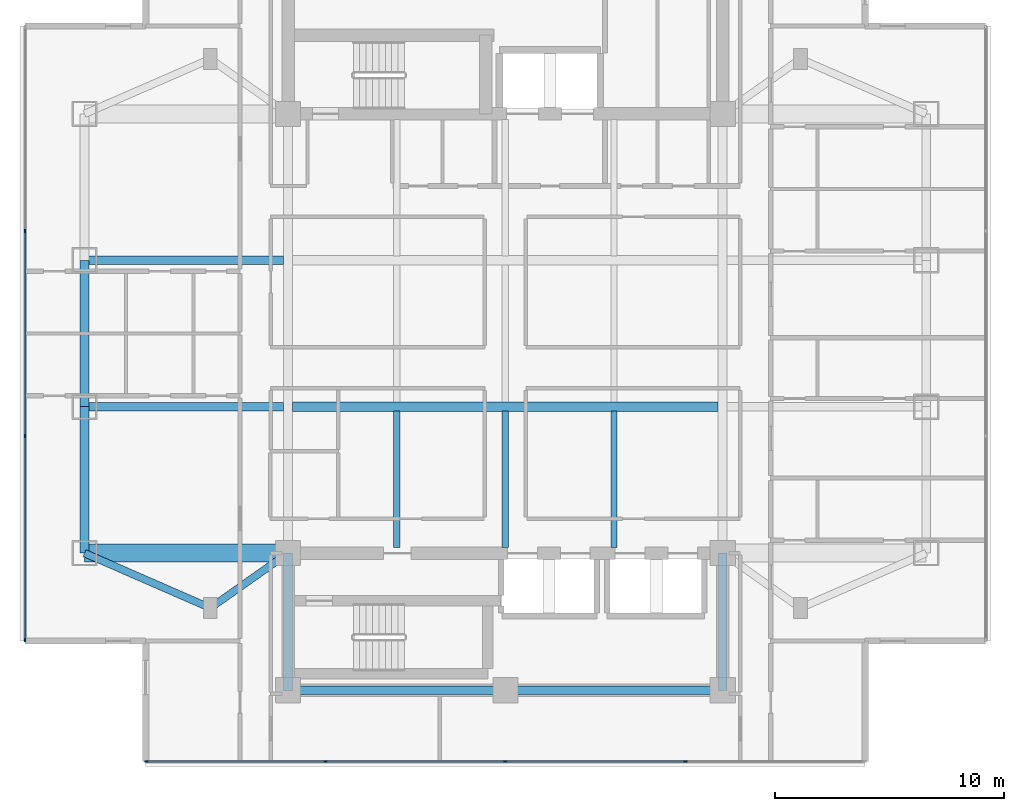
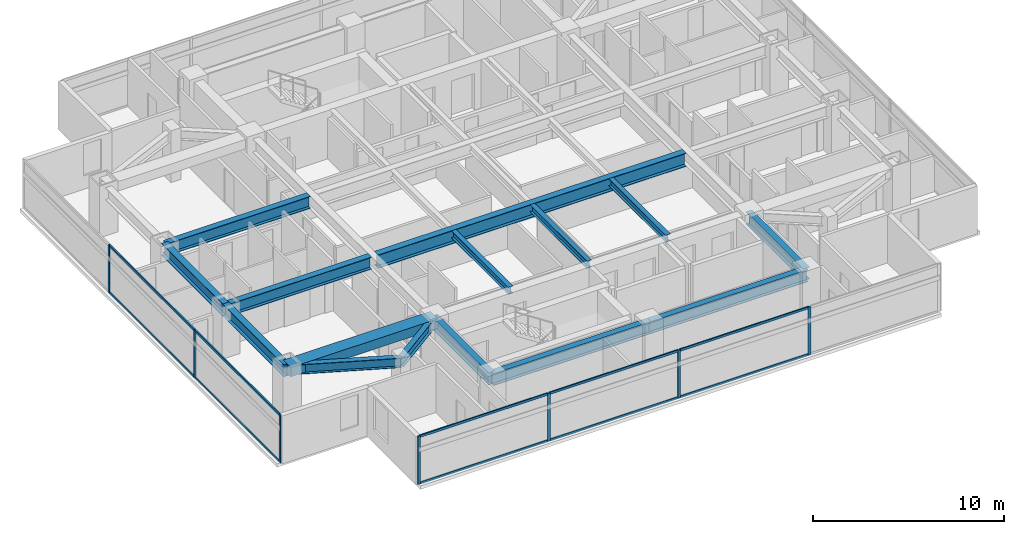
# One storey, part 2 of 25: 17 members, 15 beams, 2 elements without a shape of their own.
"""IFC4 building model written with IfcOpenShell, lengths in metres."""

import ifcopenshell
import ifcopenshell.guid

model = None  # the IFC model being written
_history = None  # IfcOwnerHistory: only IFC2X3 demands one
_inside = {}  # id of a spatial element -> (the spatial element, [elements in it])
_under = {}  # id of a project, library or spatial element -> (it, [spatial elements below it])
_declared = {}  # id of a project -> (the project, [libraries it declares])
_typed = {}  # id of a type object -> (the type object, [elements of that type])
_made_of = {}  # id of a material, layer set ... -> (it, [elements and type objects made of it])


def new_model(schema):
    """Start an empty IFC model of exactly this schema.

    Asked for "IFC4X3", IfcOpenShell would pick the latest addendum, in which some entities
    have other attributes; the version numbers below select the first issue.
    IFC2X3 requires an IfcOwnerHistory on every rooted entity: one is made here for all.
    """
    global model, _history
    if schema == "IFC4X3":
        model = ifcopenshell.file(schema_version=(4, 3, 0, 0))
    else:
        model = ifcopenshell.file(schema=schema)
    _inside.clear()
    _under.clear()
    _declared.clear()
    _typed.clear()
    _made_of.clear()
    _history = None
    if model.schema == "IFC2X3":
        org = make("IfcOrganization", Name="unknown")
        user = make(
            "IfcPersonAndOrganization",
            ThePerson=make("IfcPerson", FamilyName="unknown"),
            TheOrganization=org,
        )
        app = make(
            "IfcApplication",
            ApplicationDeveloper=org,
            Version="unknown",
            ApplicationFullName="unknown",
            ApplicationIdentifier="unknown",
        )
        _history = make(
            "IfcOwnerHistory",
            OwningUser=user,
            OwningApplication=app,
            ChangeAction="ADDED",
            CreationDate=0,
        )
    return model


def make(cls, **values):
    """One entity of the class cls with the attributes given. An attribute that is None is left unset."""
    return model.create_entity(
        cls, **{name: value for name, value in values.items() if value is not None}
    )


def rooted(cls, **values):
    """An entity with a GlobalId (a new one), such as an element, a storey or a relation."""
    return make(cls, GlobalId=ifcopenshell.guid.new(), OwnerHistory=_history, **values)


def si_unit(unit_type, name, prefix=None):
    """IfcSIUnit, for example si_unit("LENGTHUNIT", "METRE", prefix="MILLI")."""
    return make("IfcSIUnit", UnitType=unit_type, Prefix=prefix, Name=name)


def assignment(units):
    """IfcUnitAssignment: the units of a project."""
    return None if units is None else make("IfcUnitAssignment", Units=units)


def point(xyz):
    """IfcCartesianPoint."""
    return None if xyz is None else make("IfcCartesianPoint", Coordinates=xyz)


def direction(xyz):
    """IfcDirection."""
    return None if xyz is None else make("IfcDirection", DirectionRatios=xyz)


def frame(location, z_axis=None, x_axis=None):
    """IfcAxis2Placement3D, a coordinate frame: its origin and axes. An axis left out is left unset."""
    return make(
        "IfcAxis2Placement3D",
        Location=point(location),
        Axis=direction(z_axis),
        RefDirection=direction(x_axis),
    )


def frame_2d(location, x_axis=None):
    """IfcAxis2Placement2D, a coordinate frame in the plane: its origin and x axis."""
    return make(
        "IfcAxis2Placement2D", Location=point(location), RefDirection=direction(x_axis)
    )


def origin():
    """The frame at (0, 0, 0) with its axes left unset."""
    return frame((0.0, 0.0, 0.0))


def origin_2d():
    """The frame at (0, 0) in the plane with its x axis left unset."""
    return frame_2d((0.0, 0.0))


def place(relative_to, where):
    """IfcLocalPlacement: puts the frame where relative to a parent placement (None: the world)."""
    return make(
        "IfcLocalPlacement", PlacementRelTo=relative_to, RelativePlacement=where
    )


def context(
    kind, dimensions, precision=None, world=None, true_north=None, identifier=None
):
    """IfcGeometricRepresentationContext, for example the 3D "Model" context."""
    return make(
        "IfcGeometricRepresentationContext",
        ContextIdentifier=identifier,
        ContextType=kind,
        CoordinateSpaceDimension=dimensions,
        Precision=precision,
        WorldCoordinateSystem=world,
        TrueNorth=true_north,
    )


def subcontext(parent, identifier, kind, view, scale=None):
    """IfcGeometricRepresentationSubContext, for example "Body" below "Model"."""
    return make(
        "IfcGeometricRepresentationSubContext",
        ContextIdentifier=identifier,
        ContextType=kind,
        ParentContext=parent,
        TargetScale=scale,
        TargetView=view,
    )


def project(units=None, contexts=None):
    """IfcProject with its units and contexts."""
    return rooted(
        "IfcProject",
        Name="project",
        RepresentationContexts=contexts,
        UnitsInContext=assignment(units),
    )


def spatial(cls, under=None, at=None, **own):
    """A site, building, storey or space (cls), placed at a placement, below another one or the project."""
    s = rooted(cls, ObjectPlacement=at, **own)
    if under is not None:
        _under.setdefault(under.id(), (under, []))[1].append(s)
    return s


def profile(cls, at=None, kind="AREA", **sizes):
    """A parametric profile (cls). Its sizes go by their IFC names, for example OverallWidth=200.0."""
    return make(cls, ProfileType=kind, Position=at, **sizes)


def rectangle(**sizes):
    """IfcRectangleProfileDef."""
    return profile("IfcRectangleProfileDef", **sizes)


def i_section(**sizes):
    """IfcIShapeProfileDef."""
    return profile("IfcIShapeProfileDef", **sizes)


def extrude(swept, where, along, depth):
    """IfcExtrudedAreaSolid: the profile swept, set in the frame where, extruded along a direction by depth."""
    return make(
        "IfcExtrudedAreaSolid",
        SweptArea=swept,
        Position=where,
        ExtrudedDirection=direction(along),
        Depth=depth,
    )


def shape(context_of_items, identifier, shape_type, items):
    """IfcShapeRepresentation: the items that make up one representation, for example the "Body"."""
    return make(
        "IfcShapeRepresentation",
        ContextOfItems=context_of_items,
        RepresentationIdentifier=identifier,
        RepresentationType=shape_type,
        Items=items,
    )


def material(Name=None, Category=None):
    """IfcMaterial."""
    return make("IfcMaterial", Name=Name, Category=Category)


def material_profile(
    of_material, cross_section, Name=None, Category=None, Priority=None
):
    """IfcMaterialProfile: a cross section and its material."""
    return make(
        "IfcMaterialProfile",
        Name=Name,
        Material=of_material,
        Profile=cross_section,
        Priority=Priority,
        Category=Category,
    )


def profile_set(profiles, Name=None, composite=None):
    """IfcMaterialProfileSet."""
    return make(
        "IfcMaterialProfileSet",
        Name=Name,
        MaterialProfiles=profiles,
        CompositeProfile=composite,
    )


def made_of(thing, what):
    """Note that an element or type object is made of a material, layer set ...; save() writes the relation."""
    if what is not None:
        _made_of.setdefault(what.id(), (what, []))[1].append(thing)
    return thing


def type_object(cls, material=None, **own):
    """A type object (cls), such as IfcWallType, which elements share."""
    return made_of(rooted(cls, **own), material)


def element(
    cls,
    number,
    at=None,
    inside=None,
    cuts=None,
    type_object=None,
    material=None,
    context=None,
    identifier="Body",
    shape_type=None,
    held_by="IfcProductDefinitionShape",
    body=None,
    shapes=None,
    **own,
):
    """One element of the class cls, such as IfcWall. Its Tag is "e" and its number.

    at: its placement. inside: the storey or other place that contains it. cuts: it is an
    opening in that element (IfcRelVoidsElement). A single representation is given by context,
    identifier, shape_type and body (its items); several are given by shapes. held_by: the class
    of the entity that holds the representations. save() writes the other relations.
    """
    e = rooted(cls, Tag="e%d" % number, ObjectPlacement=at, **own)
    if body is not None:
        shapes = [shape(context, identifier, shape_type, body)]
    if shapes is not None:
        e.Representation = make(held_by, Representations=shapes)
    if inside is not None:
        _inside.setdefault(inside.id(), (inside, []))[1].append(e)
    if cuts is not None:
        rooted(
            "IfcRelVoidsElement", RelatingBuildingElement=cuts, RelatedOpeningElement=e
        )
    if type_object is not None:
        _typed.setdefault(type_object.id(), (type_object, []))[1].append(e)
    return made_of(e, material)


def aggregate(whole, parts):
    """IfcRelAggregates: a whole, such as a stair, and the parts it consists of."""
    return rooted("IfcRelAggregates", RelatingObject=whole, RelatedObjects=parts)


def save(model, path):
    """Write the relations noted so far, then the file.

    IfcRelAggregates (storeys below a building ...), IfcRelContainedInSpatialStructure (elements
    in a storey), IfcRelDefinesByType, IfcRelAssociatesMaterial and IfcRelDeclares: one each for
    every whole, place, type object, material and project.
    """
    for whole, parts in _under.values():
        aggregate(whole, parts)
    for where, things in _inside.values():
        rooted(
            "IfcRelContainedInSpatialStructure",
            RelatedElements=things,
            RelatingStructure=where,
        )
    for kind, things in _typed.values():
        rooted("IfcRelDefinesByType", RelatedObjects=things, RelatingType=kind)
    for what, things in _made_of.values():
        rooted("IfcRelAssociatesMaterial", RelatedObjects=things, RelatingMaterial=what)
    for by, libraries in _declared.values():
        rooted("IfcRelDeclares", RelatingContext=by, RelatedDefinitions=libraries)
    model.write(path)


model = new_model("IFC4")

# Units and contexts
model_context = context("Model", 3, precision=1e-05, world=origin(), true_north=direction((0.0, 1.0)))
body_context = subcontext(model_context, "Body", "Model", "MODEL_VIEW")
ifc_project = project(units=[si_unit("LENGTHUNIT", "METRE"), si_unit("AREAUNIT", "SQUARE_METRE"), si_unit("VOLUMEUNIT", "CUBIC_METRE"), si_unit("PLANEANGLEUNIT", "RADIAN"), si_unit("MASSUNIT", "GRAM", prefix="KILO")], contexts=[model_context])

# Site, building, storey
site_placement = place(None, origin())
site = spatial("IfcSite", under=ifc_project, at=site_placement, CompositionType="ELEMENT")
building_placement = place(site_placement, origin())
building = spatial("IfcBuilding", under=site, at=building_placement, Name="Mirazonda Arch Towers", CompositionType="ELEMENT")
storey_placement = place(building_placement, frame((0.0, 0.0, 131.300048828125)))
storey = spatial("IfcBuildingStorey", under=building, at=storey_placement, Name="L37", CompositionType="ELEMENT", Elevation=131.300048828125)

# Beams
ifc_material_1 = material(Name="Steel ASTM A992 Grade 50", Category="steel")
ifc_material_profile_1 = material_profile(ifc_material_1, i_section(OverallWidth=0.381103515625, OverallDepth=0.77294921875, WebThickness=0.0166015625, FlangeThickness=0.027099609375, at=origin_2d()), Name="W30X173")
ifc_profile_set_1 = profile_set([ifc_material_profile_1], Name="Steel ASTM A992 Grade 50")
beam_type_1 = type_object("IfcBeamType", Name="BM-EXT-W30X173", PredefinedType="USERDEFINED", material=ifc_profile_set_1)
beam_1_placement = place(storey_placement, frame((2.10009765625, 18.39990234375, 2.693359375), z_axis=(0.0, 1.0, 0.0), x_axis=(-1.0, 0.0, 0.0)))
element("IfcBeam", 1, at=beam_1_placement, inside=storey, type_object=beam_type_1, Name="L37 Floor Beam BM-T1-L37-NS-W-18", ObjectType="GIRDER", PredefinedType="USERDEFINED", context=body_context, shape_type="SweptSolid", body=[
    extrude(i_section(OverallWidth=0.381103515625, OverallDepth=0.77294921875, WebThickness=0.0166015625, FlangeThickness=0.027099609375, at=origin_2d()), origin(), (0.0, 0.0, 1.0), 6.400146484375),
])
beam_2_placement = place(storey_placement, frame((2.10009765625, 24.800048828125, 2.693359375), z_axis=(0.0, 1.0, 0.0), x_axis=(-1.0, 0.0, 0.0)))
element("IfcBeam", 2, at=beam_2_placement, inside=storey, type_object=beam_type_1, Name="L37 Floor Beam BM-T1-L37-NS-W-24", ObjectType="GIRDER", PredefinedType="USERDEFINED", context=body_context, shape_type="SweptSolid", body=[
    extrude(i_section(OverallWidth=0.381103515625, OverallDepth=0.77294921875, WebThickness=0.0166015625, FlangeThickness=0.027099609375, at=origin_2d()), origin(), (0.0, 0.0, 1.0), 6.39990234375),
])
ifc_material_profile_2 = material_profile(ifc_material_1, i_section(OverallWidth=0.280029296875, OverallDepth=0.462890625, WebThickness=0.0107421875, FlangeThickness=0.017333984375, at=origin_2d()), Name="W18X76")
ifc_profile_set_2 = profile_set([ifc_material_profile_2], Name="Steel ASTM A992 Grade 50")
beam_type_2 = type_object("IfcBeamType", Name="BM-INT-W18X76", PredefinedType="JOIST", material=ifc_profile_set_2)
for number, where, z_axis, x_axis, name in (
    (3, (15.75, 18.639892578125, 2.848388671875), (0.0, 1.0, 0.0), (-1.0, 0.0, 0.0), "L37 Floor Beam BM-T1-L37-J-157-18"),
    (4, (20.5, 18.639892578125, 2.848388671875), (0.0, 1.0, 0.0), (-1.0, 0.0, 0.0), "L37 Floor Beam BM-T1-L37-J-205-18"),
    (5, (25.25, 18.639892578125, 2.848388671875), (0.0, 1.0, 0.0), (-1.0, 0.0, 0.0), "L37 Floor Beam BM-T1-L37-J-252-18"),
):
    element("IfcBeam", number, at=place(storey_placement, frame(where, z_axis=z_axis, x_axis=x_axis)), inside=storey, type_object=beam_type_2, Name=name, PredefinedType="JOIST", context=body_context, shape_type="SweptSolid", body=[
        extrude(i_section(OverallWidth=0.280029296875, OverallDepth=0.462890625, WebThickness=0.0107421875, FlangeThickness=0.017333984375, at=origin_2d()), origin(), (0.0, 0.0, 1.0), 5.964111328125),
    ])
ifc_material_profile_3 = material_profile(ifc_material_1, i_section(OverallWidth=0.324951171875, OverallDepth=0.615966796875, WebThickness=0.013916015625, FlangeThickness=0.021484375, at=origin_2d()), Name="W24X117")
ifc_profile_set_3 = profile_set([ifc_material_profile_3], Name="Steel ASTM A992 Grade 50")
beam_type_3 = type_object("IfcBeamType", Name="BM-INT-W24X117", PredefinedType="BEAM", material=ifc_profile_set_3)
beam_3_placement = place(storey_placement, frame((7.60009765625, 16.0, 2.77197265625), z_axis=(0.816971114901, 0.576678591087, 0.0), x_axis=(-0.576678591087, 0.816971114901, 0.0)))
element("IfcBeam", 6, at=beam_3_placement, inside=storey, type_object=beam_type_3, Name="L37 Floor Beam BM-T1-L37-PL-SW1", PredefinedType="BEAM", context=body_context, shape_type="SweptSolid", body=[
    extrude(i_section(OverallWidth=0.324951171875, OverallDepth=0.615966796875, WebThickness=0.013916015625, FlangeThickness=0.021484375, at=origin_2d()), origin(), (0.0, 0.0, 1.0), 4.16162109375),
])
beam_4_placement = place(storey_placement, frame((7.60009765625, 16.0, 2.77197265625), z_axis=(-0.916545343703, 0.399930785183, 0.0), x_axis=(-0.399930785183, -0.916545343703, 0.0)))
element("IfcBeam", 7, at=beam_4_placement, inside=storey, type_object=beam_type_3, Name="L37 Floor Beam BM-T1-L37-PL-SW2", PredefinedType="BEAM", context=body_context, shape_type="SweptSolid", body=[
    extrude(i_section(OverallWidth=0.324951171875, OverallDepth=0.615966796875, WebThickness=0.013916015625, FlangeThickness=0.021484375, at=origin_2d()), origin(), (0.0, 0.0, 1.0), 6.000732421875),
])
ifc_material_profile_4 = material_profile(ifc_material_1, i_section(OverallWidth=0.381103515625, OverallDepth=0.77294921875, WebThickness=0.0166015625, FlangeThickness=0.027099609375, at=origin_2d()), Name="W30X173")
ifc_profile_set_4 = profile_set([ifc_material_profile_4], Name="Steel ASTM A992 Grade 50")
beam_type_4 = type_object("IfcBeamType", Name="BM-INT-W30X173", PredefinedType="USERDEFINED", material=ifc_profile_set_4)
for number, where, z_axis, x_axis, name in (
    (8, (2.10009765625, 24.800048828125, 2.693359375), (1.0, 0.0, 0.0), (0.0, 1.0, 0.0), "L37 Floor Beam BM-T1-L37-GW2"),
    (9, (2.10009765625, 31.199951171875, 2.693359375), (1.0, 0.0, 0.0), (0.0, 1.0, 0.0), "L37 Floor Beam BM-T1-L37-GW3"),
):
    element("IfcBeam", number, at=place(storey_placement, frame(where, z_axis=z_axis, x_axis=x_axis)), inside=storey, type_object=beam_type_4, Name=name, ObjectType="GIRDER", PredefinedType="USERDEFINED", context=body_context, shape_type="SweptSolid", body=[
        extrude(i_section(OverallWidth=0.381103515625, OverallDepth=0.77294921875, WebThickness=0.0166015625, FlangeThickness=0.027099609375, at=origin_2d()), origin(), (0.0, 0.0, 1.0), 8.699951171875),
    ])
for number, where, z_axis, x_axis, name in (
    (10, (11.0, 12.39990234375, 2.693359375), (1.0, 0.0, 0.0), (0.0, 1.0, 0.0), "L37 Floor Beam BM-T1-L37-CS1"),
    (11, (20.5, 12.39990234375, 2.693359375), (1.0, 0.0, 0.0), (0.0, 1.0, 0.0), "L37 Floor Beam BM-T1-L37-CS2"),
):
    element("IfcBeam", number, at=place(storey_placement, frame(where, z_axis=z_axis, x_axis=x_axis)), inside=storey, type_object=beam_type_4, Name=name, ObjectType="GIRDER", PredefinedType="USERDEFINED", context=body_context, shape_type="SweptSolid", body=[
        extrude(i_section(OverallWidth=0.381103515625, OverallDepth=0.77294921875, WebThickness=0.0166015625, FlangeThickness=0.027099609375, at=origin_2d()), origin(), (0.0, 0.0, 1.0), 9.5),
    ])
for number, where, z_axis, x_axis, name in (
    (12, (11.0, 12.39990234375, 2.693359375), (0.0, 1.0, 0.0), (-1.0, 0.0, 0.0), "L37 Floor Beam BM-T1-L37-CSW"),
    (13, (30.0, 12.39990234375, 2.693359375), (0.0, 1.0, 0.0), (-1.0, 0.0, 0.0), "L37 Floor Beam BM-T1-L37-CSE"),
):
    element("IfcBeam", number, at=place(storey_placement, frame(where, z_axis=z_axis, x_axis=x_axis)), inside=storey, type_object=beam_type_4, Name=name, ObjectType="GIRDER", PredefinedType="USERDEFINED", context=body_context, shape_type="SweptSolid", body=[
        extrude(i_section(OverallWidth=0.381103515625, OverallDepth=0.77294921875, WebThickness=0.0166015625, FlangeThickness=0.027099609375, at=origin_2d()), origin(), (0.0, 0.0, 1.0), 6.0),
    ])
ifc_material_profile_5 = material_profile(ifc_material_1, i_section(OverallWidth=0.39990234375, OverallDepth=0.85595703125, WebThickness=0.018310546875, FlangeThickness=0.029296875, at=origin_2d()), Name="W33X201")
ifc_profile_set_5 = profile_set([ifc_material_profile_5], Name="Steel ASTM A992 Grade 50")
beam_type_5 = type_object("IfcBeamType", Name="BM-INT-W33X201", PredefinedType="USERDEFINED", material=ifc_profile_set_5)
beam_5_placement = place(storey_placement, frame((11.199951171875, 24.800048828125, 2.65185546875), z_axis=(1.0, 0.0, 0.0), x_axis=(0.0, 1.0, 0.0)))
element("IfcBeam", 14, at=beam_5_placement, inside=storey, type_object=beam_type_5, Name="L37 Floor Beam BM-T1-L37-GC2", ObjectType="GIRDER", PredefinedType="USERDEFINED", context=body_context, shape_type="SweptSolid", body=[
    extrude(i_section(OverallWidth=0.39990234375, OverallDepth=0.85595703125, WebThickness=0.018310546875, FlangeThickness=0.029296875, at=origin_2d()), origin(), (0.0, 0.0, 1.0), 18.60009765625),
])
ifc_material_2 = material(Name="Concrete C60/75", Category="concrete")
ifc_material_profile_6 = material_profile(ifc_material_2, rectangle(XDim=0.800048828125, YDim=0.60009765625, at=origin_2d()), Name="RCCB800x600")
ifc_profile_set_6 = profile_set([ifc_material_profile_6], Name="Concrete C60/75")
beam_type_6 = type_object("IfcBeamType", Name="CB-INT-RCCB800x600", PredefinedType="SPANDREL", material=ifc_profile_set_6)
beam_6_placement = place(storey_placement, frame((2.10009765625, 18.39990234375, 2.780029296875), z_axis=(1.0, 0.0, 0.0), x_axis=(0.0, 1.0, 0.0)))
element("IfcBeam", 15, at=beam_6_placement, inside=storey, type_object=beam_type_6, Name="L37 Floor Beam CBC-T1-L37-SW", PredefinedType="SPANDREL", context=body_context, shape_type="SweptSolid", body=[
    extrude(rectangle(XDim=0.800048828125, YDim=0.60009765625, at=origin_2d()), origin(), (0.0, 0.0, 1.0), 8.89990234375),
])

# Curtain wall, members
ifc_material_3 = material(Name="Anodised Aluminium and Low-E Glass", Category="aluminium")
curtain_wall_type = type_object("IfcCurtainWallType", Name="CW-HTL-UNIT", PredefinedType="NOTDEFINED", material=ifc_material_3)
curtain_wall_1_placement = place(storey_placement, origin())
curtain_wall_1 = element("IfcCurtainWall", 16, at=curtain_wall_1_placement, inside=storey, type_object=curtain_wall_type, Name="L37 T1 S Facade CW-L37-T1-S", PredefinedType="NOTDEFINED")
ifc_material_4 = material(Name="Anodised Aluminium Alloy", Category="aluminium")
ifc_material_profile_7 = material_profile(ifc_material_4, rectangle(XDim=0.074951171875, YDim=0.1650390625, at=origin_2d()), Name="ALU-MULL-75x165")
ifc_profile_set_7 = profile_set([ifc_material_profile_7], Name="Anodised Aluminium Alloy")
member_type_1 = type_object("IfcMemberType", Name="MULL-CW-HTL-UNIT", PredefinedType="MULLION", material=ifc_profile_set_7)
member_1_placement = place(storey_placement, frame((28.364990234375, 9.2880859375, 0.0), z_axis=(0.0, 0.0, 1.0), x_axis=(0.0, -1.0, 0.0)))
member_1 = element("IfcMember", 17, at=member_1_placement, type_object=member_type_1, Name="CW-112 mullion 2", PredefinedType="MULLION", context=body_context, shape_type="SweptSolid", body=[
    extrude(rectangle(XDim=0.074951171875, YDim=0.1650390625, at=origin_2d()), origin(), (0.0, 0.0, 1.0), 3.06005859375),
])
member_2_placement = place(storey_placement, frame((20.5, 9.2880859375, 0.0), z_axis=(0.0, 0.0, 1.0), x_axis=(0.0, -1.0, 0.0)))
member_2 = element("IfcMember", 18, at=member_2_placement, type_object=member_type_1, Name="CW-112 mullion 3", PredefinedType="MULLION", context=body_context, shape_type="SweptSolid", body=[
    extrude(rectangle(XDim=0.074951171875, YDim=0.1650390625, at=origin_2d()), origin(), (0.0, 0.0, 1.0), 3.06005859375),
])
member_3_placement = place(storey_placement, frame((12.635009765625, 9.2880859375, 0.0), z_axis=(0.0, 0.0, 1.0), x_axis=(0.0, -1.0, 0.0)))
member_3 = element("IfcMember", 19, at=member_3_placement, type_object=member_type_1, Name="CW-112 mullion 4", PredefinedType="MULLION", context=body_context, shape_type="SweptSolid", body=[
    extrude(rectangle(XDim=0.074951171875, YDim=0.1650390625, at=origin_2d()), origin(), (0.0, 0.0, 1.0), 3.06005859375),
])
member_4_placement = place(storey_placement, frame((4.8076171875, 9.2880859375, 0.0), z_axis=(0.0, 0.0, 1.0), x_axis=(0.0, -1.0, 0.0)))
member_4 = element("IfcMember", 20, at=member_4_placement, type_object=member_type_1, Name="CW-112 mullion 5", PredefinedType="MULLION", context=body_context, shape_type="SweptSolid", body=[
    extrude(rectangle(XDim=0.074951171875, YDim=0.1650390625, at=origin_2d()), origin(), (0.0, 0.0, 1.0), 3.06005859375),
])

curtain_wall_2_placement = place(storey_placement, origin())
curtain_wall_2 = element("IfcCurtainWall", 21, at=curtain_wall_2_placement, inside=storey, type_object=curtain_wall_type, Name="L37 T1 W Facade CW-L37-T1-W", PredefinedType="NOTDEFINED")
member_5_placement = place(storey_placement, frame((-0.5, 32.480712890625, 0.0), z_axis=(0.0, 0.0, 1.0), x_axis=(1.0, 0.0, 0.0)))
member_5 = element("IfcMember", 22, at=member_5_placement, type_object=member_type_1, Name="CW-112 mullion 2", PredefinedType="MULLION", context=body_context, shape_type="SweptSolid", body=[
    extrude(rectangle(XDim=0.074951171875, YDim=0.1650390625, at=origin_2d()), origin(), (0.0, 0.0, 1.0), 3.06005859375),
])
member_6_placement = place(storey_placement, frame((-0.5, 23.519287109375, 0.0), z_axis=(0.0, 0.0, 1.0), x_axis=(1.0, 0.0, 0.0)))
member_6 = element("IfcMember", 23, at=member_6_placement, type_object=member_type_1, Name="CW-112 mullion 3", PredefinedType="MULLION", context=body_context, shape_type="SweptSolid", body=[
    extrude(rectangle(XDim=0.074951171875, YDim=0.1650390625, at=origin_2d()), origin(), (0.0, 0.0, 1.0), 3.06005859375),
])
member_7_placement = place(storey_placement, frame((-0.5, 14.595458984375, 0.0), z_axis=(0.0, 0.0, 1.0), x_axis=(1.0, 0.0, 0.0)))
member_7 = element("IfcMember", 24, at=member_7_placement, type_object=member_type_1, Name="CW-112 mullion 4", PredefinedType="MULLION", context=body_context, shape_type="SweptSolid", body=[
    extrude(rectangle(XDim=0.074951171875, YDim=0.1650390625, at=origin_2d()), origin(), (0.0, 0.0, 1.0), 3.06005859375),
])

# Member
ifc_material_profile_8 = material_profile(ifc_material_4, rectangle(XDim=0.074951171875, YDim=0.14501953125, at=origin_2d()), Name="ALU-TRAN-75x145")
ifc_profile_set_8 = profile_set([ifc_material_profile_8], Name="Anodised Aluminium Alloy")
member_type_2 = type_object("IfcMemberType", Name="TRAN-CW-HTL-UNIT", PredefinedType="USERDEFINED", material=ifc_profile_set_8)
member_8_placement = place(storey_placement, frame((28.327392578125, 9.2880859375, 0.037353515625), z_axis=(-1.0, 0.0, 0.0), x_axis=(0.0, -1.0, 0.0)))
member_8 = element("IfcMember", 25, at=member_8_placement, type_object=member_type_2, Name="CW-112 transom 2.1", ObjectType="TRANSOM", PredefinedType="USERDEFINED", context=body_context, shape_type="SweptSolid", body=[
    extrude(rectangle(XDim=0.074951171875, YDim=0.14501953125, at=origin_2d()), origin(), (0.0, 0.0, 1.0), 7.789794921875),
])

member_9_placement = place(storey_placement, frame((28.327392578125, 9.2880859375, 3.0224609375), z_axis=(-1.0, 0.0, 0.0), x_axis=(0.0, -1.0, 0.0)))
member_9 = element("IfcMember", 26, at=member_9_placement, type_object=member_type_2, Name="CW-112 transom 2.2", ObjectType="TRANSOM", PredefinedType="USERDEFINED", context=body_context, shape_type="SweptSolid", body=[
    extrude(rectangle(XDim=0.074951171875, YDim=0.14501953125, at=origin_2d()), origin(), (0.0, 0.0, 1.0), 7.789794921875),
])

member_10_placement = place(storey_placement, frame((20.46240234375, 9.2880859375, 0.037353515625), z_axis=(-1.0, 0.0, 0.0), x_axis=(0.0, -1.0, 0.0)))
member_10 = element("IfcMember", 27, at=member_10_placement, type_object=member_type_2, Name="CW-112 transom 3.1", ObjectType="TRANSOM", PredefinedType="USERDEFINED", context=body_context, shape_type="SweptSolid", body=[
    extrude(rectangle(XDim=0.074951171875, YDim=0.14501953125, at=origin_2d()), origin(), (0.0, 0.0, 1.0), 7.789794921875),
])

member_11_placement = place(storey_placement, frame((20.46240234375, 9.2880859375, 3.0224609375), z_axis=(-1.0, 0.0, 0.0), x_axis=(0.0, -1.0, 0.0)))
member_11 = element("IfcMember", 28, at=member_11_placement, type_object=member_type_2, Name="CW-112 transom 3.2", ObjectType="TRANSOM", PredefinedType="USERDEFINED", context=body_context, shape_type="SweptSolid", body=[
    extrude(rectangle(XDim=0.074951171875, YDim=0.14501953125, at=origin_2d()), origin(), (0.0, 0.0, 1.0), 7.789794921875),
])

member_12_placement = place(storey_placement, frame((12.597412109375, 9.2880859375, 0.037353515625), z_axis=(-1.0, 0.0, 0.0), x_axis=(0.0, -1.0, 0.0)))
member_12 = element("IfcMember", 29, at=member_12_placement, type_object=member_type_2, Name="CW-112 transom 4.1", ObjectType="TRANSOM", PredefinedType="USERDEFINED", context=body_context, shape_type="SweptSolid", body=[
    extrude(rectangle(XDim=0.074951171875, YDim=0.14501953125, at=origin_2d()), origin(), (0.0, 0.0, 1.0), 7.75244140625),
])

member_13_placement = place(storey_placement, frame((12.597412109375, 9.2880859375, 3.0224609375), z_axis=(-1.0, 0.0, 0.0), x_axis=(0.0, -1.0, 0.0)))
member_13 = element("IfcMember", 30, at=member_13_placement, type_object=member_type_2, Name="CW-112 transom 4.2", ObjectType="TRANSOM", PredefinedType="USERDEFINED", context=body_context, shape_type="SweptSolid", body=[
    extrude(rectangle(XDim=0.074951171875, YDim=0.14501953125, at=origin_2d()), origin(), (0.0, 0.0, 1.0), 7.75244140625),
])

aggregate(curtain_wall_1, [member_1, member_2, member_3, member_4, member_8, member_9, member_10, member_11, member_12, member_13])

member_14_placement = place(storey_placement, frame((-0.5, 32.443115234375, 0.037353515625), z_axis=(0.0, -1.0, 0.0), x_axis=(1.0, 0.0, 0.0)))
member_14 = element("IfcMember", 31, at=member_14_placement, type_object=member_type_2, Name="CW-112 transom 2.1", ObjectType="TRANSOM", PredefinedType="USERDEFINED", context=body_context, shape_type="SweptSolid", body=[
    extrude(rectangle(XDim=0.074951171875, YDim=0.14501953125, at=origin_2d()), origin(), (0.0, 0.0, 1.0), 8.88623046875),
])

member_15_placement = place(storey_placement, frame((-0.5, 32.443115234375, 3.0224609375), z_axis=(0.0, -1.0, 0.0), x_axis=(1.0, 0.0, 0.0)))
member_15 = element("IfcMember", 32, at=member_15_placement, type_object=member_type_2, Name="CW-112 transom 2.2", ObjectType="TRANSOM", PredefinedType="USERDEFINED", context=body_context, shape_type="SweptSolid", body=[
    extrude(rectangle(XDim=0.074951171875, YDim=0.14501953125, at=origin_2d()), origin(), (0.0, 0.0, 1.0), 8.88623046875),
])

member_16_placement = place(storey_placement, frame((-0.5, 23.48193359375, 0.037353515625), z_axis=(0.0, -1.0, 0.0), x_axis=(1.0, 0.0, 0.0)))
member_16 = element("IfcMember", 33, at=member_16_placement, type_object=member_type_2, Name="CW-112 transom 3.1", ObjectType="TRANSOM", PredefinedType="USERDEFINED", context=body_context, shape_type="SweptSolid", body=[
    extrude(rectangle(XDim=0.074951171875, YDim=0.14501953125, at=origin_2d()), origin(), (0.0, 0.0, 1.0), 8.848876953125),
])

member_17_placement = place(storey_placement, frame((-0.5, 23.48193359375, 3.0224609375), z_axis=(0.0, -1.0, 0.0), x_axis=(1.0, 0.0, 0.0)))
member_17 = element("IfcMember", 34, at=member_17_placement, type_object=member_type_2, Name="CW-112 transom 3.2", ObjectType="TRANSOM", PredefinedType="USERDEFINED", context=body_context, shape_type="SweptSolid", body=[
    extrude(rectangle(XDim=0.074951171875, YDim=0.14501953125, at=origin_2d()), origin(), (0.0, 0.0, 1.0), 8.848876953125),
])

aggregate(curtain_wall_2, [member_5, member_6, member_7, member_14, member_15, member_16, member_17])

save(model, "model.ifc")
